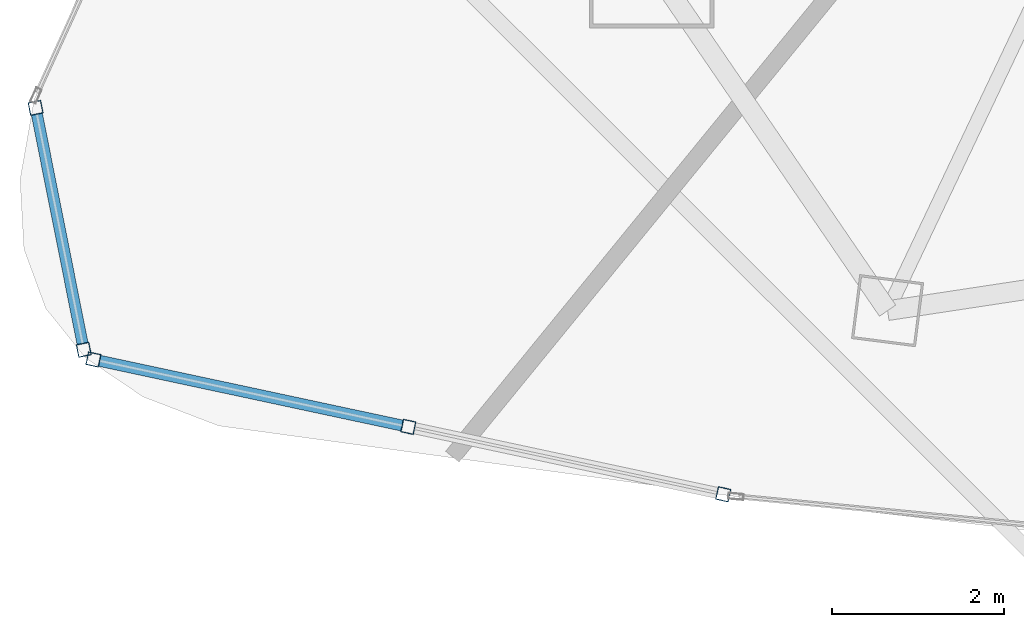
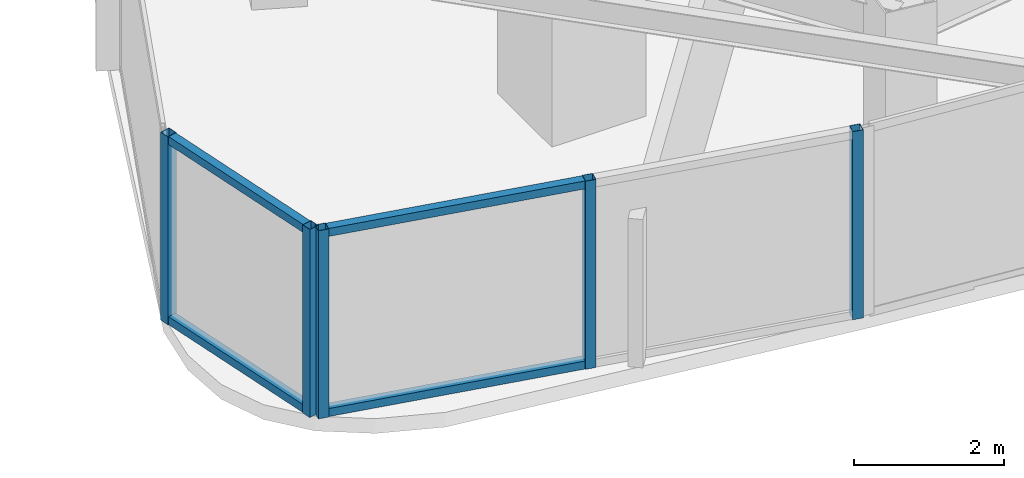
# One storey, part 2 of 33: 9 members, 2 elements without a shape of their own.
"""IFC4 building model written with IfcOpenShell, lengths in metres."""

from ifc_helpers import new_model, si_unit, direction, frame, origin, origin_2d, place, context, subcontext, project, spatial, hollow_rectangle, extrude, material, layer, layer_set, material_profile, profile_set, type_object, element, aggregate, save


model = new_model("IFC4")

# Units and contexts
model_context = context("Model", 3, precision=1e-05, world=origin(), true_north=direction((0.0, 1.0)))
body_context = subcontext(model_context, "Body", "Model", "MODEL_VIEW")
ifc_project = project(units=[si_unit("LENGTHUNIT", "METRE"), si_unit("AREAUNIT", "SQUARE_METRE"), si_unit("VOLUMEUNIT", "CUBIC_METRE"), si_unit("PLANEANGLEUNIT", "RADIAN"), si_unit("MASSUNIT", "GRAM", prefix="KILO")], contexts=[model_context])

# Site, building, storey
site_placement = place(None, origin())
site = spatial("IfcSite", under=ifc_project, at=site_placement, CompositionType="ELEMENT")
building_placement = place(site_placement, origin())
building = spatial("IfcBuilding", under=site, at=building_placement, Name="Orvanel Arch Residences", CompositionType="ELEMENT")
storey_placement = place(building_placement, frame((0.0, 0.0, 116.60009765625)))
storey = spatial("IfcBuildingStorey", under=building, at=storey_placement, Name="L32", CompositionType="ELEMENT", Elevation=116.60009765625)

# Curtain wall, members
ifc_material = material(Name="Bronze-anodised aluminium AA6063-T6", Category="aluminium")
ifc_layer = layer(ifc_material, 0.18994140625)
ifc_layer_set = layer_set([ifc_layer], Name="Bronze-anodised aluminium AA6063-T6")
curtain_wall_type = type_object("IfcCurtainWallType", Name="CW5-CRN-SYS", PredefinedType="NOTDEFINED", material=ifc_layer_set)
curtain_wall_1_placement = place(storey_placement, origin())
curtain_wall_1 = element("IfcCurtainWall", 1, at=curtain_wall_1_placement, inside=storey, type_object=curtain_wall_type, Name="L32 CW5-CRN-SYS Unitised Curtain Wall", PredefinedType="NOTDEFINED")
ifc_material_profile_1 = material_profile(ifc_material, hollow_rectangle(XDim=0.14990234375, YDim=0.14990234375, WallThickness=0.0048828125, at=origin_2d()), Name="ALU150x150x5")
ifc_profile_set_1 = profile_set([ifc_material_profile_1], Name="Bronze-anodised aluminium AA6063-T6")
member_type_1 = type_object("IfcMemberType", Name="MUL-150x150", PredefinedType="MULLION", material=ifc_profile_set_1)
member_1_placement = place(storey_placement, frame((7.03857421875, 8.695556640625, 0.0), z_axis=(0.0, 0.0, 1.0), x_axis=(0.98074610394, 0.195287172151, 0.0)))
member_1 = element("IfcMember", 2, at=member_1_placement, type_object=member_type_1, Name="CW-S5 mullion 1", PredefinedType="MULLION", context=body_context, shape_type="SweptSolid", body=[
    extrude(hollow_rectangle(XDim=0.14990234375, YDim=0.14990234375, WallThickness=0.0048828125, at=origin_2d()), origin(), (0.0, 0.0, 1.0), 3.059814453125),
])
member_2_placement = place(storey_placement, frame((7.598388671875, 5.884521484375, 0.0), z_axis=(0.0, 0.0, 1.0), x_axis=(0.98074610394, 0.195287172151, 0.0)))
member_2 = element("IfcMember", 3, at=member_2_placement, type_object=member_type_1, Name="CW-S5 mullion 2", PredefinedType="MULLION", context=body_context, shape_type="SweptSolid", body=[
    extrude(hollow_rectangle(XDim=0.14990234375, YDim=0.14990234375, WallThickness=0.0048828125, at=origin_2d()), origin(), (0.0, 0.0, 1.0), 3.059814453125),
])

curtain_wall_2_placement = place(storey_placement, origin())
curtain_wall_2 = element("IfcCurtainWall", 4, at=curtain_wall_2_placement, inside=storey, type_object=curtain_wall_type, Name="L32 CW5-CRN-SYS Unitised Curtain Wall", PredefinedType="NOTDEFINED")
member_3_placement = place(storey_placement, frame((7.71044921875, 5.771240234375, 0.0), z_axis=(0.0, 0.0, 1.0), x_axis=(0.20926972208, 0.977857956669, 0.0)))
member_3 = element("IfcMember", 5, at=member_3_placement, type_object=member_type_1, Name="CW-S5 mullion 1", PredefinedType="MULLION", context=body_context, shape_type="SweptSolid", body=[
    extrude(hollow_rectangle(XDim=0.14990234375, YDim=0.14990234375, WallThickness=0.0048828125, at=origin_2d()), origin(), (0.0, 0.0, 1.0), 3.059814453125),
])
member_4_placement = place(storey_placement, frame((11.37060546875, 4.988037109375, 0.0), z_axis=(0.0, 0.0, 1.0), x_axis=(0.20926972208, 0.977857956669, 0.0)))
member_4 = element("IfcMember", 6, at=member_4_placement, type_object=member_type_1, Name="CW-S5 mullion 2", PredefinedType="MULLION", context=body_context, shape_type="SweptSolid", body=[
    extrude(hollow_rectangle(XDim=0.14990234375, YDim=0.14990234375, WallThickness=0.0048828125, at=origin_2d()), origin(), (0.0, 0.0, 1.0), 3.059814453125),
])
member_5_placement = place(storey_placement, frame((15.03076171875, 4.20458984375, 0.0), z_axis=(0.0, 0.0, 1.0), x_axis=(0.20926972208, 0.977857956669, 0.0)))
member_5 = element("IfcMember", 7, at=member_5_placement, type_object=member_type_1, Name="CW-S5 mullion 3", PredefinedType="MULLION", context=body_context, shape_type="SweptSolid", body=[
    extrude(hollow_rectangle(XDim=0.14990234375, YDim=0.14990234375, WallThickness=0.0048828125, at=origin_2d()), origin(), (0.0, 0.0, 1.0), 3.059814453125),
])

# Member
ifc_material_profile_2 = material_profile(ifc_material, hollow_rectangle(XDim=0.1298828125, YDim=0.1298828125, WallThickness=0.00439453125, at=origin_2d()), Name="ALU130x130x4.5")
ifc_profile_set_2 = profile_set([ifc_material_profile_2], Name="Bronze-anodised aluminium AA6063-T6")
member_type_2 = type_object("IfcMemberType", Name="TRN-130x130", PredefinedType="USERDEFINED", material=ifc_profile_set_2)
member_6_placement = place(storey_placement, frame((7.05322265625, 8.621826171875, 0.06494140625), z_axis=(0.195320930761, -0.980739381287, 0.0), x_axis=(0.980739381287, 0.195320930761, 0.0)))
member_6 = element("IfcMember", 8, at=member_6_placement, type_object=member_type_2, Name="CW-S5 transom 1.1", ObjectType="TRANSOM", PredefinedType="USERDEFINED", context=body_context, shape_type="SweptSolid", body=[
    extrude(hollow_rectangle(XDim=0.1298828125, YDim=0.1298828125, WallThickness=0.00439453125, at=origin_2d()), origin(), (0.0, 0.0, 1.0), 2.716064453125),
])

member_7_placement = place(storey_placement, frame((7.05322265625, 8.621826171875, 2.994873046875), z_axis=(0.195320930761, -0.980739381287, 0.0), x_axis=(0.980739381287, 0.195320930761, 0.0)))
member_7 = element("IfcMember", 9, at=member_7_placement, type_object=member_type_2, Name="CW-S5 transom 1.2", ObjectType="TRANSOM", PredefinedType="USERDEFINED", context=body_context, shape_type="SweptSolid", body=[
    extrude(hollow_rectangle(XDim=0.1298828125, YDim=0.1298828125, WallThickness=0.00439453125, at=origin_2d()), origin(), (0.0, 0.0, 1.0), 2.716064453125),
])

aggregate(curtain_wall_1, [member_1, member_2, member_6, member_7])

member_8_placement = place(storey_placement, frame((7.78369140625, 5.755615234375, 0.06494140625), z_axis=(0.97785508511, -0.209283139611, 0.0), x_axis=(0.209283139611, 0.97785508511, 0.0)))
member_8 = element("IfcMember", 10, at=member_8_placement, type_object=member_type_2, Name="CW-S5 transom 1.1", ObjectType="TRANSOM", PredefinedType="USERDEFINED", context=body_context, shape_type="SweptSolid", body=[
    extrude(hollow_rectangle(XDim=0.1298828125, YDim=0.1298828125, WallThickness=0.00439453125, at=origin_2d()), origin(), (0.0, 0.0, 1.0), 3.593017578125),
])

member_9_placement = place(storey_placement, frame((7.78369140625, 5.755615234375, 2.994873046875), z_axis=(0.97785508511, -0.209283139611, 0.0), x_axis=(0.209283139611, 0.97785508511, 0.0)))
member_9 = element("IfcMember", 11, at=member_9_placement, type_object=member_type_2, Name="CW-S5 transom 1.2", ObjectType="TRANSOM", PredefinedType="USERDEFINED", context=body_context, shape_type="SweptSolid", body=[
    extrude(hollow_rectangle(XDim=0.1298828125, YDim=0.1298828125, WallThickness=0.00439453125, at=origin_2d()), origin(), (0.0, 0.0, 1.0), 3.593017578125),
])

aggregate(curtain_wall_2, [member_3, member_4, member_5, member_8, member_9])

save(model, "model.ifc")
